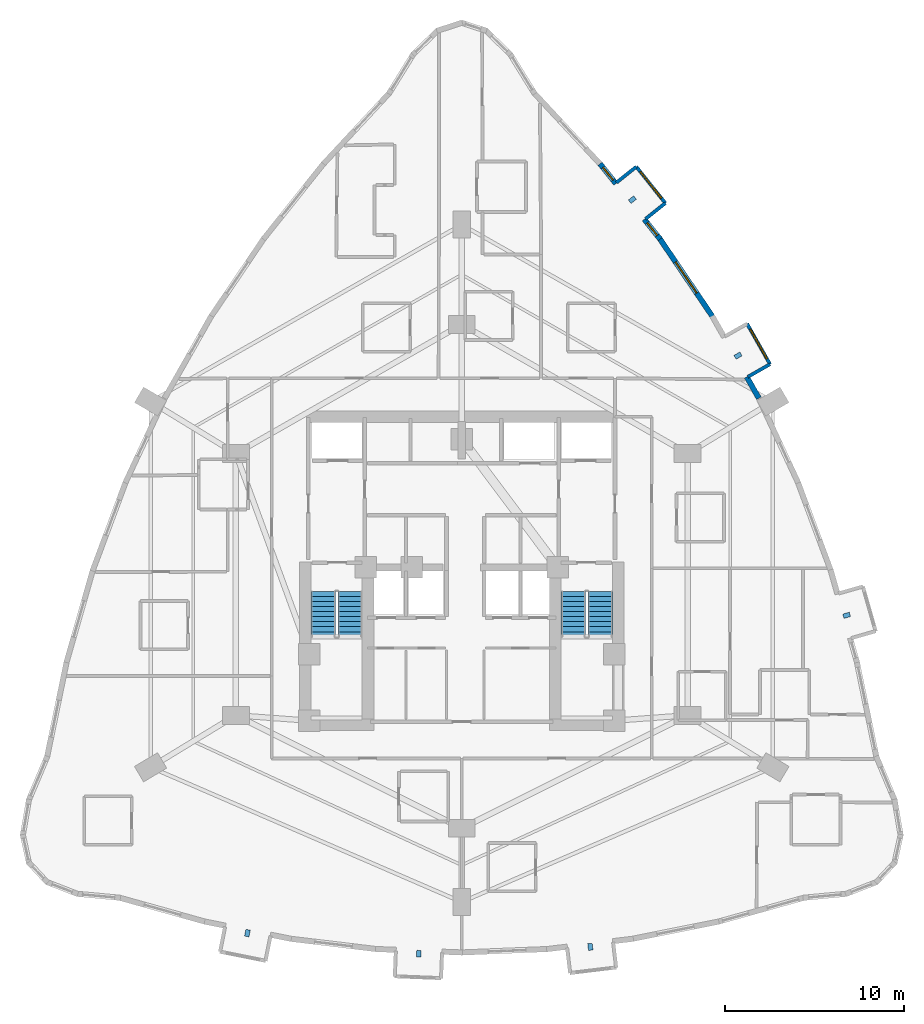
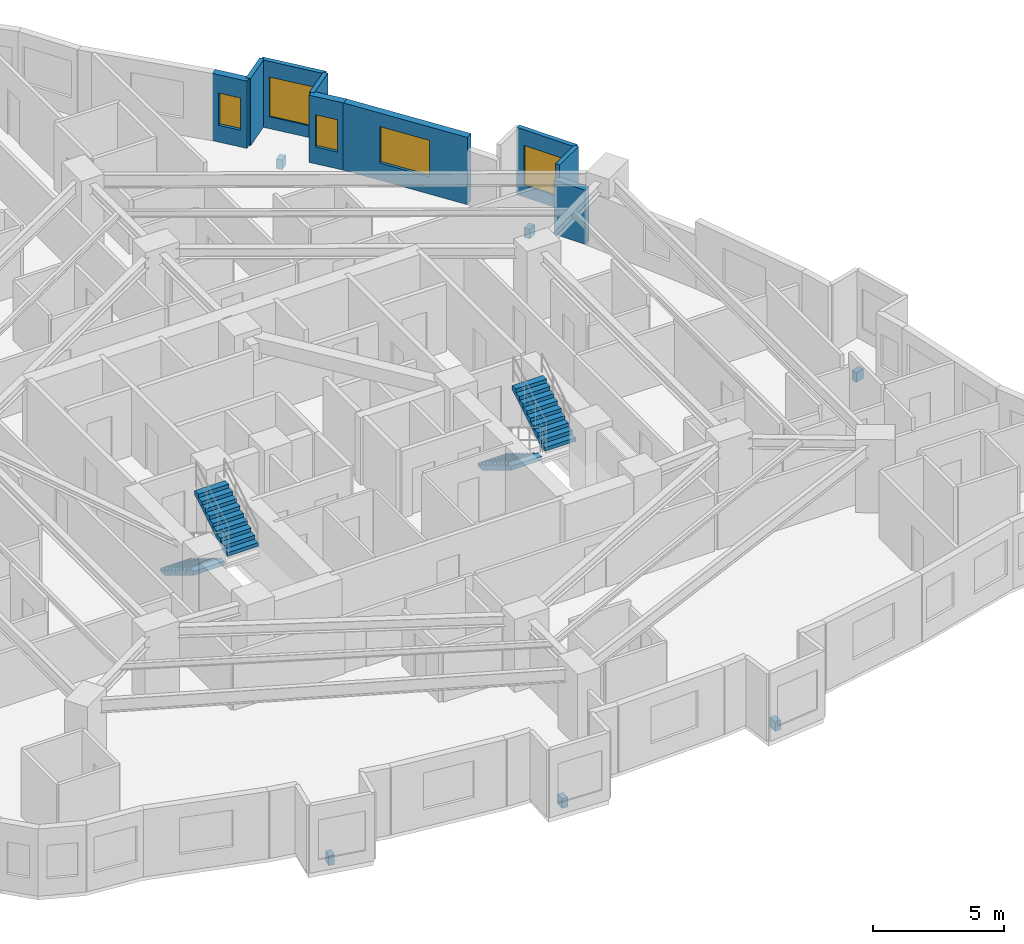
# One storey, part 12 of 13: 9 walls, 6 discrete accessories, 5 windows, 4 stair flights, 5 openings, 2 elements without a shape of their own.
"""IFC4 building model written with IfcOpenShell, lengths in metres."""

import ifcopenshell
import ifcopenshell.guid

model = None  # the IFC model being written
_history = None  # IfcOwnerHistory: only IFC2X3 demands one
_inside = {}  # id of a spatial element -> (the spatial element, [elements in it])
_under = {}  # id of a project, library or spatial element -> (it, [spatial elements below it])
_declared = {}  # id of a project -> (the project, [libraries it declares])
_typed = {}  # id of a type object -> (the type object, [elements of that type])
_made_of = {}  # id of a material, layer set ... -> (it, [elements and type objects made of it])


def new_model(schema):
    """Start an empty IFC model of exactly this schema.

    Asked for "IFC4X3", IfcOpenShell would pick the latest addendum, in which some entities
    have other attributes; the version numbers below select the first issue.
    IFC2X3 requires an IfcOwnerHistory on every rooted entity: one is made here for all.
    """
    global model, _history
    if schema == "IFC4X3":
        model = ifcopenshell.file(schema_version=(4, 3, 0, 0))
    else:
        model = ifcopenshell.file(schema=schema)
    _inside.clear()
    _under.clear()
    _declared.clear()
    _typed.clear()
    _made_of.clear()
    _history = None
    if model.schema == "IFC2X3":
        org = make("IfcOrganization", Name="unknown")
        user = make(
            "IfcPersonAndOrganization",
            ThePerson=make("IfcPerson", FamilyName="unknown"),
            TheOrganization=org,
        )
        app = make(
            "IfcApplication",
            ApplicationDeveloper=org,
            Version="unknown",
            ApplicationFullName="unknown",
            ApplicationIdentifier="unknown",
        )
        _history = make(
            "IfcOwnerHistory",
            OwningUser=user,
            OwningApplication=app,
            ChangeAction="ADDED",
            CreationDate=0,
        )
    return model


def make(cls, **values):
    """One entity of the class cls with the attributes given. An attribute that is None is left unset."""
    return model.create_entity(
        cls, **{name: value for name, value in values.items() if value is not None}
    )


def rooted(cls, **values):
    """An entity with a GlobalId (a new one), such as an element, a storey or a relation."""
    return make(cls, GlobalId=ifcopenshell.guid.new(), OwnerHistory=_history, **values)


def si_unit(unit_type, name, prefix=None):
    """IfcSIUnit, for example si_unit("LENGTHUNIT", "METRE", prefix="MILLI")."""
    return make("IfcSIUnit", UnitType=unit_type, Prefix=prefix, Name=name)


def assignment(units):
    """IfcUnitAssignment: the units of a project."""
    return None if units is None else make("IfcUnitAssignment", Units=units)


def point(xyz):
    """IfcCartesianPoint."""
    return None if xyz is None else make("IfcCartesianPoint", Coordinates=xyz)


def direction(xyz):
    """IfcDirection."""
    return None if xyz is None else make("IfcDirection", DirectionRatios=xyz)


def frame(location, z_axis=None, x_axis=None):
    """IfcAxis2Placement3D, a coordinate frame: its origin and axes. An axis left out is left unset."""
    return make(
        "IfcAxis2Placement3D",
        Location=point(location),
        Axis=direction(z_axis),
        RefDirection=direction(x_axis),
    )


def frame_2d(location, x_axis=None):
    """IfcAxis2Placement2D, a coordinate frame in the plane: its origin and x axis."""
    return make(
        "IfcAxis2Placement2D", Location=point(location), RefDirection=direction(x_axis)
    )


def origin():
    """The frame at (0, 0, 0) with its axes left unset."""
    return frame((0.0, 0.0, 0.0))


def origin_2d():
    """The frame at (0, 0) in the plane with its x axis left unset."""
    return frame_2d((0.0, 0.0))


def place(relative_to, where):
    """IfcLocalPlacement: puts the frame where relative to a parent placement (None: the world)."""
    return make(
        "IfcLocalPlacement", PlacementRelTo=relative_to, RelativePlacement=where
    )


def context(
    kind, dimensions, precision=None, world=None, true_north=None, identifier=None
):
    """IfcGeometricRepresentationContext, for example the 3D "Model" context."""
    return make(
        "IfcGeometricRepresentationContext",
        ContextIdentifier=identifier,
        ContextType=kind,
        CoordinateSpaceDimension=dimensions,
        Precision=precision,
        WorldCoordinateSystem=world,
        TrueNorth=true_north,
    )


def subcontext(parent, identifier, kind, view, scale=None):
    """IfcGeometricRepresentationSubContext, for example "Body" below "Model"."""
    return make(
        "IfcGeometricRepresentationSubContext",
        ContextIdentifier=identifier,
        ContextType=kind,
        ParentContext=parent,
        TargetScale=scale,
        TargetView=view,
    )


def project(units=None, contexts=None):
    """IfcProject with its units and contexts."""
    return rooted(
        "IfcProject",
        Name="project",
        RepresentationContexts=contexts,
        UnitsInContext=assignment(units),
    )


def spatial(cls, under=None, at=None, **own):
    """A site, building, storey or space (cls), placed at a placement, below another one or the project."""
    s = rooted(cls, ObjectPlacement=at, **own)
    if under is not None:
        _under.setdefault(under.id(), (under, []))[1].append(s)
    return s


def polyline(points):
    """IfcPolyline through the points."""
    return make("IfcPolyline", Points=[point(p) for p in points])


def profile(cls, at=None, kind="AREA", **sizes):
    """A parametric profile (cls). Its sizes go by their IFC names, for example OverallWidth=200.0."""
    return make(cls, ProfileType=kind, Position=at, **sizes)


def rectangle(**sizes):
    """IfcRectangleProfileDef."""
    return profile("IfcRectangleProfileDef", **sizes)


def outline(outer, holes=None, kind="AREA"):
    """IfcArbitraryClosedProfileDef: a profile drawn as a closed curve; with holes, ...WithVoids."""
    if holes is None:
        return make("IfcArbitraryClosedProfileDef", ProfileType=kind, OuterCurve=outer)
    return make(
        "IfcArbitraryProfileDefWithVoids",
        ProfileType=kind,
        OuterCurve=outer,
        InnerCurves=holes,
    )


def extrude(swept, where, along, depth):
    """IfcExtrudedAreaSolid: the profile swept, set in the frame where, extruded along a direction by depth."""
    return make(
        "IfcExtrudedAreaSolid",
        SweptArea=swept,
        Position=where,
        ExtrudedDirection=direction(along),
        Depth=depth,
    )


def shape(context_of_items, identifier, shape_type, items):
    """IfcShapeRepresentation: the items that make up one representation, for example the "Body"."""
    return make(
        "IfcShapeRepresentation",
        ContextOfItems=context_of_items,
        RepresentationIdentifier=identifier,
        RepresentationType=shape_type,
        Items=items,
    )


def material(Name=None, Category=None):
    """IfcMaterial."""
    return make("IfcMaterial", Name=Name, Category=Category)


def layer(
    of_material, thickness, ventilated=None, Name=None, Category=None, Priority=None
):
    """IfcMaterialLayer: one layer of a wall or slab, of a material (None: an air gap)."""
    return make(
        "IfcMaterialLayer",
        Material=of_material,
        LayerThickness=thickness,
        IsVentilated=ventilated,
        Name=Name,
        Category=Category,
        Priority=Priority,
    )


def layer_set(layers, Name=None):
    """IfcMaterialLayerSet."""
    return make("IfcMaterialLayerSet", MaterialLayers=layers, LayerSetName=Name)


def made_of(thing, what):
    """Note that an element or type object is made of a material, layer set ...; save() writes the relation."""
    if what is not None:
        _made_of.setdefault(what.id(), (what, []))[1].append(thing)
    return thing


def type_object(cls, material=None, **own):
    """A type object (cls), such as IfcWallType, which elements share."""
    return made_of(rooted(cls, **own), material)


def element(
    cls,
    number,
    at=None,
    inside=None,
    cuts=None,
    type_object=None,
    material=None,
    context=None,
    identifier="Body",
    shape_type=None,
    held_by="IfcProductDefinitionShape",
    body=None,
    shapes=None,
    **own,
):
    """One element of the class cls, such as IfcWall. Its Tag is "e" and its number.

    at: its placement. inside: the storey or other place that contains it. cuts: it is an
    opening in that element (IfcRelVoidsElement). A single representation is given by context,
    identifier, shape_type and body (its items); several are given by shapes. held_by: the class
    of the entity that holds the representations. save() writes the other relations.
    """
    e = rooted(cls, Tag="e%d" % number, ObjectPlacement=at, **own)
    if body is not None:
        shapes = [shape(context, identifier, shape_type, body)]
    if shapes is not None:
        e.Representation = make(held_by, Representations=shapes)
    if inside is not None:
        _inside.setdefault(inside.id(), (inside, []))[1].append(e)
    if cuts is not None:
        rooted(
            "IfcRelVoidsElement", RelatingBuildingElement=cuts, RelatedOpeningElement=e
        )
    if type_object is not None:
        _typed.setdefault(type_object.id(), (type_object, []))[1].append(e)
    return made_of(e, material)


def fill(opening, filler):
    """IfcRelFillsElement: the door or window that sits in an opening."""
    return rooted(
        "IfcRelFillsElement",
        RelatingOpeningElement=opening,
        RelatedBuildingElement=filler,
    )


def aggregate(whole, parts):
    """IfcRelAggregates: a whole, such as a stair, and the parts it consists of."""
    return rooted("IfcRelAggregates", RelatingObject=whole, RelatedObjects=parts)


def save(model, path):
    """Write the relations noted so far, then the file.

    IfcRelAggregates (storeys below a building ...), IfcRelContainedInSpatialStructure (elements
    in a storey), IfcRelDefinesByType, IfcRelAssociatesMaterial and IfcRelDeclares: one each for
    every whole, place, type object, material and project.
    """
    for whole, parts in _under.values():
        aggregate(whole, parts)
    for where, things in _inside.values():
        rooted(
            "IfcRelContainedInSpatialStructure",
            RelatedElements=things,
            RelatingStructure=where,
        )
    for kind, things in _typed.values():
        rooted("IfcRelDefinesByType", RelatedObjects=things, RelatingType=kind)
    for what, things in _made_of.values():
        rooted("IfcRelAssociatesMaterial", RelatedObjects=things, RelatingMaterial=what)
    for by, libraries in _declared.values():
        rooted("IfcRelDeclares", RelatingContext=by, RelatedDefinitions=libraries)
    model.write(path)


model = new_model("IFC4")

# Units and contexts
model_context = context("Model", 3, precision=1e-05, world=origin(), true_north=direction((0.0, 1.0)))
body_context = subcontext(model_context, "Body", "Model", "MODEL_VIEW")
ifc_project = project(units=[si_unit("LENGTHUNIT", "METRE"), si_unit("AREAUNIT", "SQUARE_METRE"), si_unit("VOLUMEUNIT", "CUBIC_METRE"), si_unit("PLANEANGLEUNIT", "RADIAN"), si_unit("MASSUNIT", "GRAM", prefix="KILO")], contexts=[model_context])

# Site, building, storey
site_placement = place(None, origin())
site = spatial("IfcSite", under=ifc_project, at=site_placement, CompositionType="ELEMENT")
building_placement = place(site_placement, origin())
building = spatial("IfcBuilding", under=site, at=building_placement, Name="Miruveldt Soraemaru", CompositionType="ELEMENT")
storey_placement = place(building_placement, frame((0.0, 0.0, 59.800048828125)))
storey = spatial("IfcBuildingStorey", under=building, at=storey_placement, Name="L16", CompositionType="ELEMENT", Elevation=59.800048828125)

# Wall
ifc_material_1 = material(Name="White powder-coated aluminium EN AW-6060 T6", Category="aluminium")
ifc_layer_1 = layer(ifc_material_1, 0.18994140625, Name="White powder-coated aluminium EN AW-6060 T6", Category="aluminium")
ifc_layer_set_1 = layer_set([ifc_layer_1], Name="White powder-coated aluminium EN AW-6060 T6")
wall_type_1 = type_object("IfcWallType", Name="WALL-BAY-ALU190", PredefinedType="SOLIDWALL", material=ifc_layer_set_1)
wall_1_placement = place(storey_placement, frame((59.959716796875, 54.678466796875, 0.0), z_axis=(0.0, 0.0, 1.0), x_axis=(0.869799191674, 0.493405883794, 0.0)))
element("IfcWall", 1, at=wall_1_placement, inside=storey, type_object=wall_type_1, Name="L16 Bay Window Side Cheek 5L", PredefinedType="SOLIDWALL", context=body_context, shape_type="SweptSolid", body=[
    extrude(rectangle(XDim=1.425048828125, YDim=0.18994140625, at=frame_2d((0.71240234375, 0.0))), origin(), (0.0, 0.0, 1.0), 3.125),
])

# Wall, opening, window
wall_2_placement = place(storey_placement, frame((61.19921875, 55.381591796875, 0.0), z_axis=(0.0, 0.0, 1.0), x_axis=(-0.493325260824, 0.869844921255, 0.0)))
wall_2 = element("IfcWall", 2, at=wall_2_placement, inside=storey, type_object=wall_type_1, Name="L16 Bay Window Front Frame 5", PredefinedType="SOLIDWALL", context=body_context, shape_type="SweptSolid", body=[
    extrude(rectangle(XDim=2.60009765625, YDim=0.18994140625, at=frame_2d((1.300048828125, 0.0))), origin(), (0.0, 0.0, 1.0), 3.125),
])
opening_1_placement = place(wall_2_placement, frame((0.35009765625, 0.0, 0.550048828125)))
opening_1 = element("IfcOpeningElement", 3, at=opening_1_placement, cuts=wall_2, Name="Opening WN-6", PredefinedType="OPENING", context=body_context, shape_type="SweptSolid", body=[
    extrude(rectangle(XDim=1.89990234375, YDim=1.85009765625, at=frame_2d((0.949951171875, 0.925048828125))), frame((0.0, 0.10498046875, 0.0), z_axis=(0.0, -1.0, 0.0), x_axis=(1.0, 0.0, 0.0)), (0.0, 0.0, 1.0), 0.2099609375),
])
ifc_material_2 = material(Name="Triple low-e insulated glazing", Category="glass")
window_type_1 = type_object("IfcWindowType", Name="WIN-BAYW-1900x1850", PartitioningType="SINGLE_PANEL", PredefinedType="WINDOW", material=ifc_material_2)
window_1_placement = place(opening_1_placement, origin())
window_1 = element("IfcWindow", 4, at=window_1_placement, inside=storey, type_object=window_type_1, Name="L16 Projecting Bay Window 5", OverallHeight=1.85009765625, OverallWidth=1.89990234375, PartitioningType="SINGLE_PANEL", PredefinedType="WINDOW", context=body_context, shape_type="SweptSolid", body=[
    extrude(rectangle(XDim=1.89990234375, YDim=1.85009765625, at=frame_2d((0.949951171875, 0.925048828125))), frame((0.0, 0.030029296875, 0.0), z_axis=(0.0, -1.0, 0.0), x_axis=(1.0, 0.0, 0.0)), (0.0, 0.0, 1.0), 0.06005859375),
])
fill(opening_1, window_1)

# Walls
for number, where, z_axis, x_axis, name in (
    (5, (54.2451171875, 63.4794921875, 0.0), (0.0, 0.0, 1.0), (0.781737193764, 0.623608017817, 0.0), "L16 Bay Window Side Cheek 6L"),
    (6, (53.737548828125, 66.400634765625, 0.0), (0.0, 0.0, 1.0), (-0.781737193764, -0.623608017817, 0.0), "L16 Bay Window Side Cheek 6R"),
):
    element("IfcWall", number, at=place(storey_placement, frame(where, z_axis=z_axis, x_axis=x_axis)), inside=storey, type_object=wall_type_1, Name=name, PredefinedType="SOLIDWALL", context=body_context, shape_type="SweptSolid", body=[
        extrude(rectangle(XDim=1.425048828125, YDim=0.18994140625, at=frame_2d((0.71240234375, 0.0))), origin(), (0.0, 0.0, 1.0), 3.125),
    ])

# Wall, opening, window
wall_3_placement = place(storey_placement, frame((55.359130859375, 64.3681640625, 0.0), z_axis=(0.0, 0.0, 1.0), x_axis=(-0.623663926583, 0.781692590907, 0.0)))
wall_3 = element("IfcWall", 7, at=wall_3_placement, inside=storey, type_object=wall_type_1, Name="L16 Bay Window Front Frame 6", PredefinedType="SOLIDWALL", context=body_context, shape_type="SweptSolid", body=[
    extrude(rectangle(XDim=2.60009765625, YDim=0.18994140625, at=frame_2d((1.300048828125, 0.0))), origin(), (0.0, 0.0, 1.0), 3.125),
])
opening_2_placement = place(wall_3_placement, frame((0.35009765625, 0.0, 0.550048828125)))
opening_2 = element("IfcOpeningElement", 8, at=opening_2_placement, cuts=wall_3, Name="Opening WN-6", PredefinedType="OPENING", context=body_context, shape_type="SweptSolid", body=[
    extrude(rectangle(XDim=1.89990234375, YDim=1.85009765625, at=frame_2d((0.949951171875, 0.925048828125))), frame((0.0, 0.10498046875, 0.0), z_axis=(0.0, -1.0, 0.0), x_axis=(1.0, 0.0, 0.0)), (0.0, 0.0, 1.0), 0.2099609375),
])
window_2_placement = place(opening_2_placement, origin())
window_2 = element("IfcWindow", 9, at=window_2_placement, inside=storey, type_object=window_type_1, Name="L16 Projecting Bay Window 6", OverallHeight=1.85009765625, OverallWidth=1.89990234375, PartitioningType="SINGLE_PANEL", PredefinedType="WINDOW", context=body_context, shape_type="SweptSolid", body=[
    extrude(rectangle(XDim=1.89990234375, YDim=1.85009765625, at=frame_2d((0.949951171875, 0.925048828125))), frame((0.0, 0.030029296875, 0.0), z_axis=(0.0, -1.0, 0.0), x_axis=(1.0, 0.0, 0.0)), (0.0, 0.0, 1.0), 0.06005859375),
])
fill(opening_2, window_2)

# Wall
ifc_material_3 = material(Name="Precast concrete C45/55 (45 MPa)", Category="concrete")
ifc_layer_2 = layer(ifc_material_3, 0.300048828125, Name="Precast concrete C45/55 (45 MPa)", Category="concrete")
ifc_layer_set_2 = layer_set([ifc_layer_2], Name="Precast concrete C45/55 (45 MPa)")
wall_type_2 = type_object("IfcWallType", Name="WALL-EXT-PC300", PredefinedType="SOLIDWALL", material=ifc_layer_set_2)
wall_4_placement = place(storey_placement, frame((60.57275390625, 53.486572265625, 0.0), z_axis=(0.0, 0.0, 1.0), x_axis=(-0.493390445805, 0.869807948911, 0.0)))
element("IfcWall", 10, at=wall_4_placement, inside=storey, type_object=wall_type_2, Name="L16 Precast Pier Wall 39A", PredefinedType="SOLIDWALL", context=body_context, shape_type="SweptSolid", body=[
    extrude(rectangle(XDim=1.369140625, YDim=0.300048828125, at=frame_2d((0.6845703125, 0.0))), origin(), (0.0, 0.0, 1.0), 2.512939453125),
])

# Wall, opening, window
wall_5_placement = place(storey_placement, frame((58.00537109375, 58.018310546875, 0.0), z_axis=(0.0, 0.0, 1.0), x_axis=(-0.560805458983, 0.827947605332, 0.0)))
wall_5 = element("IfcWall", 11, at=wall_5_placement, inside=storey, type_object=wall_type_2, Name="L16 Precast Concrete Facade Wall 40", PredefinedType="SOLIDWALL", context=body_context, shape_type="SweptSolid", body=[
    extrude(rectangle(XDim=5.3115234375, YDim=0.300048828125, at=frame_2d((2.65576171875, 0.0))), origin(), (0.0, 0.0, 1.0), 3.125),
])
opening_3_placement = place(wall_5_placement, frame((1.60595703125, 0.0, 0.800048828125)))
opening_3 = element("IfcOpeningElement", 12, at=opening_3_placement, cuts=wall_5, Name="Opening WN-1", PredefinedType="OPENING", context=body_context, shape_type="SweptSolid", body=[
    extrude(rectangle(XDim=2.10009765625, YDim=1.699951171875, at=frame_2d((1.050048828125, 0.85009765625))), frame((0.0, 0.16015625, 0.0), z_axis=(0.0, -1.0, 0.0), x_axis=(1.0, 0.0, 0.0)), (0.0, 0.0, 1.0), 0.320068359375),
])
window_type_2 = type_object("IfcWindowType", Name="WIN-PUNCH-2100x1700", PartitioningType="SINGLE_PANEL", PredefinedType="WINDOW", material=ifc_material_2)
window_3_placement = place(opening_3_placement, origin())
window_3 = element("IfcWindow", 13, at=window_3_placement, inside=storey, type_object=window_type_2, Name="L16 Punched Triple-Glazed Window 40.1", OverallHeight=1.699951171875, OverallWidth=2.10009765625, PartitioningType="SINGLE_PANEL", PredefinedType="WINDOW", context=body_context, shape_type="SweptSolid", body=[
    extrude(rectangle(XDim=2.10009765625, YDim=1.699951171875, at=frame_2d((1.050048828125, 0.85009765625))), frame((0.0, 0.030029296875, 0.0), z_axis=(0.0, -1.0, 0.0), x_axis=(1.0, 0.0, 0.0)), (0.0, 0.0, 1.0), 0.06005859375),
])
fill(opening_3, window_3)

wall_6_placement = place(storey_placement, frame((55.068115234375, 62.359619140625, 0.0), z_axis=(0.0, 0.0, 1.0), x_axis=(-0.623603224285, 0.78174101764, 0.0)))
wall_6 = element("IfcWall", 14, at=wall_6_placement, inside=storey, type_object=wall_type_2, Name="L16 Precast Pier Wall 41A", PredefinedType="SOLIDWALL", context=body_context, shape_type="SweptSolid", body=[
    extrude(rectangle(XDim=1.418701171875, YDim=0.300048828125, at=frame_2d((0.70947265625, 0.0))), origin(), (0.0, 0.0, 1.0), 3.125),
])
opening_4_placement = place(wall_6_placement, frame((0.260009765625, 0.0, 0.780029296875)))
opening_4 = element("IfcOpeningElement", 15, at=opening_4_placement, cuts=wall_6, Name="Opening WN-7", PredefinedType="OPENING", context=body_context, shape_type="SweptSolid", body=[
    extrude(rectangle(XDim=0.89990234375, YDim=1.5, at=frame_2d((0.449951171875, 0.75))), frame((0.0, 0.16015625, 0.0), z_axis=(0.0, -1.0, 0.0), x_axis=(1.0, 0.0, 0.0)), (0.0, 0.0, 1.0), 0.320068359375),
])
window_type_3 = type_object("IfcWindowType", Name="WIN-PUNCH-900x1500", PartitioningType="SINGLE_PANEL", PredefinedType="WINDOW", material=ifc_material_2)
window_4_placement = place(opening_4_placement, origin())
window_4 = element("IfcWindow", 16, at=window_4_placement, inside=storey, type_object=window_type_3, Name="L16 Punched Triple-Glazed Window 41A.1", OverallHeight=1.5, OverallWidth=0.89990234375, PartitioningType="SINGLE_PANEL", PredefinedType="WINDOW", context=body_context, shape_type="SweptSolid", body=[
    extrude(rectangle(XDim=0.89990234375, YDim=1.5, at=frame_2d((0.449951171875, 0.75))), frame((0.0, 0.030029296875, 0.0), z_axis=(0.0, -1.0, 0.0), x_axis=(1.0, 0.0, 0.0)), (0.0, 0.0, 1.0), 0.06005859375),
])
fill(opening_4, window_4)

wall_7_placement = place(storey_placement, frame((52.599365234375, 65.4541015625, 0.0), z_axis=(0.0, 0.0, 1.0), x_axis=(-0.623603224285, 0.78174101764, 0.0)))
wall_7 = element("IfcWall", 17, at=wall_7_placement, inside=storey, type_object=wall_type_2, Name="L16 Precast Pier Wall 41B", PredefinedType="SOLIDWALL", context=body_context, shape_type="SweptSolid", body=[
    extrude(rectangle(XDim=1.418701171875, YDim=0.300048828125, at=frame_2d((0.70947265625, 0.0))), origin(), (0.0, 0.0, 1.0), 3.125),
])
opening_5_placement = place(wall_7_placement, frame((0.260009765625, 0.0, 0.780029296875)))
opening_5 = element("IfcOpeningElement", 18, at=opening_5_placement, cuts=wall_7, Name="Opening WN-7", PredefinedType="OPENING", context=body_context, shape_type="SweptSolid", body=[
    extrude(rectangle(XDim=0.89990234375, YDim=1.5, at=frame_2d((0.449951171875, 0.75))), frame((0.0, 0.16015625, 0.0), z_axis=(0.0, -1.0, 0.0), x_axis=(1.0, 0.0, 0.0)), (0.0, 0.0, 1.0), 0.320068359375),
])
window_5_placement = place(opening_5_placement, origin())
window_5 = element("IfcWindow", 19, at=window_5_placement, inside=storey, type_object=window_type_3, Name="L16 Punched Triple-Glazed Window 41B.1", OverallHeight=1.5, OverallWidth=0.89990234375, PartitioningType="SINGLE_PANEL", PredefinedType="WINDOW", context=body_context, shape_type="SweptSolid", body=[
    extrude(rectangle(XDim=0.89990234375, YDim=1.5, at=frame_2d((0.449951171875, 0.75))), frame((0.0, 0.030029296875, 0.0), z_axis=(0.0, -1.0, 0.0), x_axis=(1.0, 0.0, 0.0)), (0.0, 0.0, 1.0), 0.06005859375),
])
fill(opening_5, window_5)

# Stair, stair flights
ifc_material_4 = material(Name="Concrete C40/50 (40 MPa)", Category="concrete")
stair_type = type_object("IfcStairType", Name="STAIR-DL-340", PredefinedType="HALF_TURN_STAIR", material=ifc_material_4)
stair_1_placement = place(storey_placement, origin())
stair_1 = element("IfcStair", 20, at=stair_1_placement, inside=storey, type_object=stair_type, Name="L16 Protected Exit Stair ST-1", PredefinedType="HALF_TURN_STAIR")
stair_flight_type = type_object("IfcStairFlightType", Name="SFL-DL-340", PredefinedType="STRAIGHT", material=ifc_material_4)
stair_flight_1_placement = place(storey_placement, frame((36.27490234375, 42.699951171875, 0.0), z_axis=(0.0, 0.0, 1.0), x_axis=(0.0, -1.0, 0.0)))
stair_flight_1 = element("IfcStairFlight", 21, at=stair_flight_1_placement, type_object=stair_flight_type, Name="ST-1 flight 1", NumberOfRisers=10, NumberOfTreads=9, PredefinedType="STRAIGHT", RiserHeight=0.17, TreadLength=0.28, context=body_context, shape_type="SweptSolid", body=[
    extrude(outline(polyline([(0.0, 0.0), (0.0, 0.169921875), (0.280029296875, 0.169921875), (0.280029296875, 0.340087890625), (0.56005859375, 0.340087890625), (0.56005859375, 0.510009765625), (0.840087890625, 0.510009765625), (0.840087890625, 0.679931640625), (1.1201171875, 0.679931640625), (1.1201171875, 0.85009765625), (1.39990234375, 0.85009765625), (1.39990234375, 1.02001953125), (1.679931640625, 1.02001953125), (1.679931640625, 1.18994140625), (1.9599609375, 1.18994140625), (1.9599609375, 1.360107421875), (2.239990234375, 1.360107421875), (2.239990234375, 1.530029296875), (2.52001953125, 1.530029296875), (2.52001953125, 1.699951171875), (2.52001953125, 1.343017578125), (0.30810546875, 0.0), (0.0, 0.0)])), frame((0.0, 0.675048828125, 0.0), z_axis=(0.0, -1.0, 0.0), x_axis=(1.0, 0.0, 0.0)), (0.0, 0.0, 1.0), 1.35009765625),
])
stair_flight_2_placement = place(storey_placement, frame((37.77490234375, 40.179931640625, 1.699951171875), z_axis=(0.0, 0.0, 1.0), x_axis=(0.0, 1.0, 0.0)))
stair_flight_2 = element("IfcStairFlight", 22, at=stair_flight_2_placement, type_object=stair_flight_type, Name="ST-1 flight 2", NumberOfRisers=10, NumberOfTreads=9, PredefinedType="STRAIGHT", RiserHeight=0.17, TreadLength=0.28, context=body_context, shape_type="SweptSolid", body=[
    extrude(outline(polyline([(0.0, 0.0), (0.0, 0.169921875), (0.280029296875, 0.169921875), (0.280029296875, 0.340087890625), (0.56005859375, 0.340087890625), (0.56005859375, 0.510009765625), (0.840087890625, 0.510009765625), (0.840087890625, 0.679931640625), (1.1201171875, 0.679931640625), (1.1201171875, 0.85009765625), (1.39990234375, 0.85009765625), (1.39990234375, 1.02001953125), (1.679931640625, 1.02001953125), (1.679931640625, 1.18994140625), (1.9599609375, 1.18994140625), (1.9599609375, 1.360107421875), (2.239990234375, 1.360107421875), (2.239990234375, 1.530029296875), (2.52001953125, 1.530029296875), (2.52001953125, 1.699951171875), (2.52001953125, 1.343017578125), (0.30810546875, 0.0), (0.0, 0.0)])), frame((0.0, 0.675048828125, 0.0), z_axis=(0.0, -1.0, 0.0), x_axis=(1.0, 0.0, 0.0)), (0.0, 0.0, 1.0), 1.35009765625),
])
aggregate(stair_1, [stair_flight_1, stair_flight_2])

stair_2_placement = place(storey_placement, origin())
stair_2 = element("IfcStair", 23, at=stair_2_placement, inside=storey, type_object=stair_type, Name="L16 Protected Exit Stair ST-2", PredefinedType="HALF_TURN_STAIR")
stair_flight_3_placement = place(storey_placement, frame((50.22509765625, 42.699951171875, 0.0), z_axis=(0.0, 0.0, 1.0), x_axis=(0.0, -1.0, 0.0)))
stair_flight_3 = element("IfcStairFlight", 24, at=stair_flight_3_placement, type_object=stair_flight_type, Name="ST-2 flight 1", NumberOfRisers=10, NumberOfTreads=9, PredefinedType="STRAIGHT", RiserHeight=0.17, TreadLength=0.28, context=body_context, shape_type="SweptSolid", body=[
    extrude(outline(polyline([(0.0, 0.0), (0.0, 0.169921875), (0.280029296875, 0.169921875), (0.280029296875, 0.340087890625), (0.56005859375, 0.340087890625), (0.56005859375, 0.510009765625), (0.840087890625, 0.510009765625), (0.840087890625, 0.679931640625), (1.1201171875, 0.679931640625), (1.1201171875, 0.85009765625), (1.39990234375, 0.85009765625), (1.39990234375, 1.02001953125), (1.679931640625, 1.02001953125), (1.679931640625, 1.18994140625), (1.9599609375, 1.18994140625), (1.9599609375, 1.360107421875), (2.239990234375, 1.360107421875), (2.239990234375, 1.530029296875), (2.52001953125, 1.530029296875), (2.52001953125, 1.699951171875), (2.52001953125, 1.343017578125), (0.30810546875, 0.0), (0.0, 0.0)])), frame((0.0, 0.675048828125, 0.0), z_axis=(0.0, -1.0, 0.0), x_axis=(1.0, 0.0, 0.0)), (0.0, 0.0, 1.0), 1.35009765625),
])
stair_flight_4_placement = place(storey_placement, frame((51.72509765625, 40.179931640625, 1.699951171875), z_axis=(0.0, 0.0, 1.0), x_axis=(0.0, 1.0, 0.0)))
stair_flight_4 = element("IfcStairFlight", 25, at=stair_flight_4_placement, type_object=stair_flight_type, Name="ST-2 flight 2", NumberOfRisers=10, NumberOfTreads=9, PredefinedType="STRAIGHT", RiserHeight=0.17, TreadLength=0.28, context=body_context, shape_type="SweptSolid", body=[
    extrude(outline(polyline([(0.0, 0.0), (0.0, 0.169921875), (0.280029296875, 0.169921875), (0.280029296875, 0.340087890625), (0.56005859375, 0.340087890625), (0.56005859375, 0.510009765625), (0.840087890625, 0.510009765625), (0.840087890625, 0.679931640625), (1.1201171875, 0.679931640625), (1.1201171875, 0.85009765625), (1.39990234375, 0.85009765625), (1.39990234375, 1.02001953125), (1.679931640625, 1.02001953125), (1.679931640625, 1.18994140625), (1.9599609375, 1.18994140625), (1.9599609375, 1.360107421875), (2.239990234375, 1.360107421875), (2.239990234375, 1.530029296875), (2.52001953125, 1.530029296875), (2.52001953125, 1.699951171875), (2.52001953125, 1.343017578125), (0.30810546875, 0.0), (0.0, 0.0)])), frame((0.0, 0.675048828125, 0.0), z_axis=(0.0, -1.0, 0.0), x_axis=(1.0, 0.0, 0.0)), (0.0, 0.0, 1.0), 1.35009765625),
])
aggregate(stair_2, [stair_flight_3, stair_flight_4])

# Discrete accessories
ifc_material_5 = material(Name="Steel SM355 (355 MPa)", Category="steel")
discrete_accessory_type = type_object("IfcDiscreteAccessoryType", Name="ACC-BAY-BRK", PredefinedType="BRACKET", material=ifc_material_5)
for number, where, z_axis, x_axis, name in (
    (26, (32.0458984375, 23.649169921875, -0.72021484375), (0.0, 0.0, 1.0), (-0.196117290802, -0.980580444557, 0.0), "L16 Bay Window Cantilever Bracket 1"),
    (27, (41.609130859375, 22.50146484375, -0.72021484375), (0.0, 0.0, 1.0), (-0.03997483895, -0.999200686675, 0.0), "L16 Bay Window Cantilever Bracket 2"),
    (28, (51.172607421875, 22.884033203125, -0.72021484375), (0.0, 0.0, 1.0), (0.119149147143, -0.992876367296, 0.0), "L16 Bay Window Cantilever Bracket 3"),
    (29, (65.4677734375, 41.376708984375, -0.72021484375), (0.0, 0.0, 1.0), (0.961449093633, 0.274982981932, 0.0), "L16 Bay Window Cantilever Bracket 4"),
    (30, (59.409912109375, 55.861083984375, -0.72021484375), (0.0, 0.0, 1.0), (0.869830943614, 0.493349905778, 0.0), "L16 Bay Window Cantilever Bracket 5"),
    (31, (53.516357421875, 64.561279296875, -0.72021484375), (0.0, 0.0, 1.0), (0.781727315753, 0.623620400408, 0.0), "L16 Bay Window Cantilever Bracket 6"),
):
    element("IfcDiscreteAccessory", number, at=place(storey_placement, frame(where, z_axis=z_axis, x_axis=x_axis)), inside=storey, type_object=discrete_accessory_type, Name=name, PredefinedType="BRACKET", context=body_context, shape_type="SweptSolid", body=[
        extrude(rectangle(XDim=0.3798828125, YDim=0.25, at=origin_2d()), origin(), (0.0, 0.0, 1.0), 0.449951171875),
    ])

save(model, "model.ifc")
